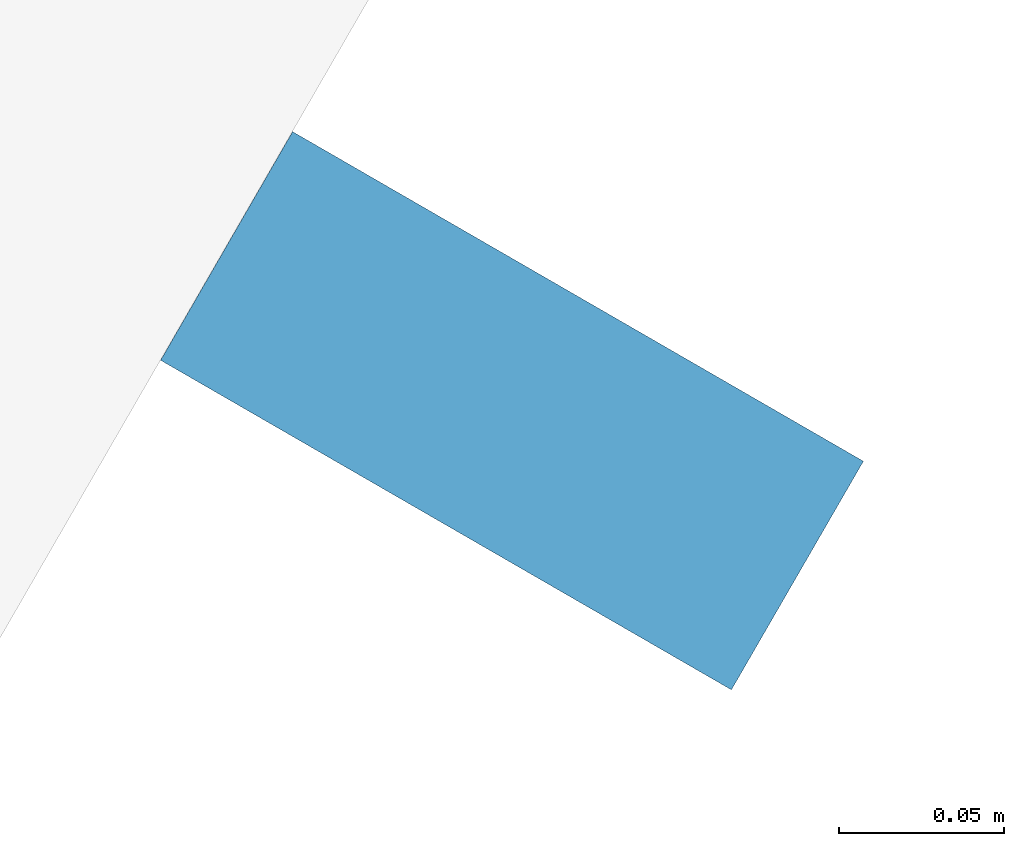
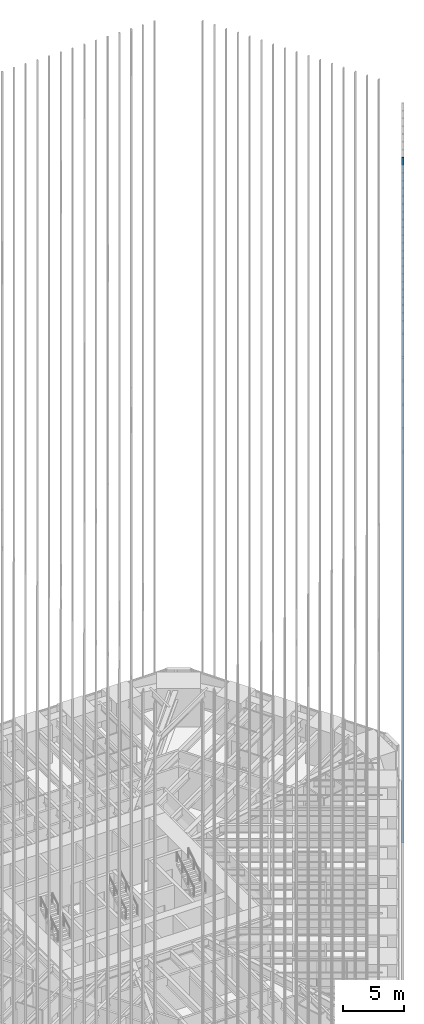
# One storey, part 124 of 256: 1 member, 1 element without a shape of its own.
"""IFC4 building model written with IfcOpenShell, lengths in metres."""

from ifc_helpers import new_model, si_unit, direction, frame, origin, origin_2d, place, context, subcontext, project, spatial, rectangle, extrude, material, material_profile, profile_set, type_object, element, aggregate, save


model = new_model("IFC4")

# Units and contexts
model_context = context("Model", 3, precision=1e-05, world=origin(), true_north=direction((0.0, 1.0)))
body_context = subcontext(model_context, "Body", "Model", "MODEL_VIEW")
ifc_project = project(units=[si_unit("LENGTHUNIT", "METRE"), si_unit("AREAUNIT", "SQUARE_METRE"), si_unit("VOLUMEUNIT", "CUBIC_METRE"), si_unit("PLANEANGLEUNIT", "RADIAN"), si_unit("MASSUNIT", "GRAM", prefix="KILO")], contexts=[model_context])

# Site, building, storey
site_placement = place(None, origin())
site = spatial("IfcSite", under=ifc_project, at=site_placement, CompositionType="ELEMENT")
building_placement = place(site_placement, origin())
building = spatial("IfcBuilding", under=site, at=building_placement, Name="Sandreach Pilgrim Tower", CompositionType="ELEMENT")
storey_placement = place(building_placement, frame((0.0, 0.0, 23.0)))
storey = spatial("IfcBuildingStorey", under=building, at=storey_placement, Name="L04", CompositionType="ELEMENT", Elevation=23.0)

# Curtain wall, member
ifc_material_1 = material(Name="Aluminium framed curtain wall", Category="aluminium")
curtain_wall_type = type_object("IfcCurtainWallType", Name="Hostel tower curtain wall", PredefinedType="NOTDEFINED", material=ifc_material_1)
curtain_wall_placement = place(storey_placement, origin())
curtain_wall = element("IfcCurtainWall", 1, at=curtain_wall_placement, inside=storey, type_object=curtain_wall_type, Name="CW-1 L04 SE", PredefinedType="NOTDEFINED")
ifc_material_2 = material(Name="Extruded terracotta on aluminium core", Category="masonry")
ifc_material_profile = material_profile(ifc_material_2, rectangle(XDim=0.080078125, YDim=0.199951171875, at=origin_2d()), Name="TBE 80X200")
ifc_profile_set = profile_set([ifc_material_profile], Name="Extruded terracotta on aluminium core")
member_type = type_object("IfcMemberType", Name="Terracotta baguette east", PredefinedType="USERDEFINED", material=ifc_profile_set)
member_placement = place(storey_placement, frame((26.615234375, -2.598388671875, 0.0), z_axis=(0.0, 0.0, 1.0), x_axis=(-0.5, -0.866025403784, 0.0)))
member = element("IfcMember", 2, at=member_placement, type_object=member_type, Name="Baguette Z1 SE08", ObjectType="BAGUETTE", PredefinedType="USERDEFINED", context=body_context, shape_type="SweptSolid", body=[
    extrude(rectangle(XDim=0.080078125, YDim=0.199951171875, at=origin_2d()), origin(), (0.0, 0.0, 1.0), 68.239990234375),
])
aggregate(curtain_wall, [member])

save(model, "model.ifc")
